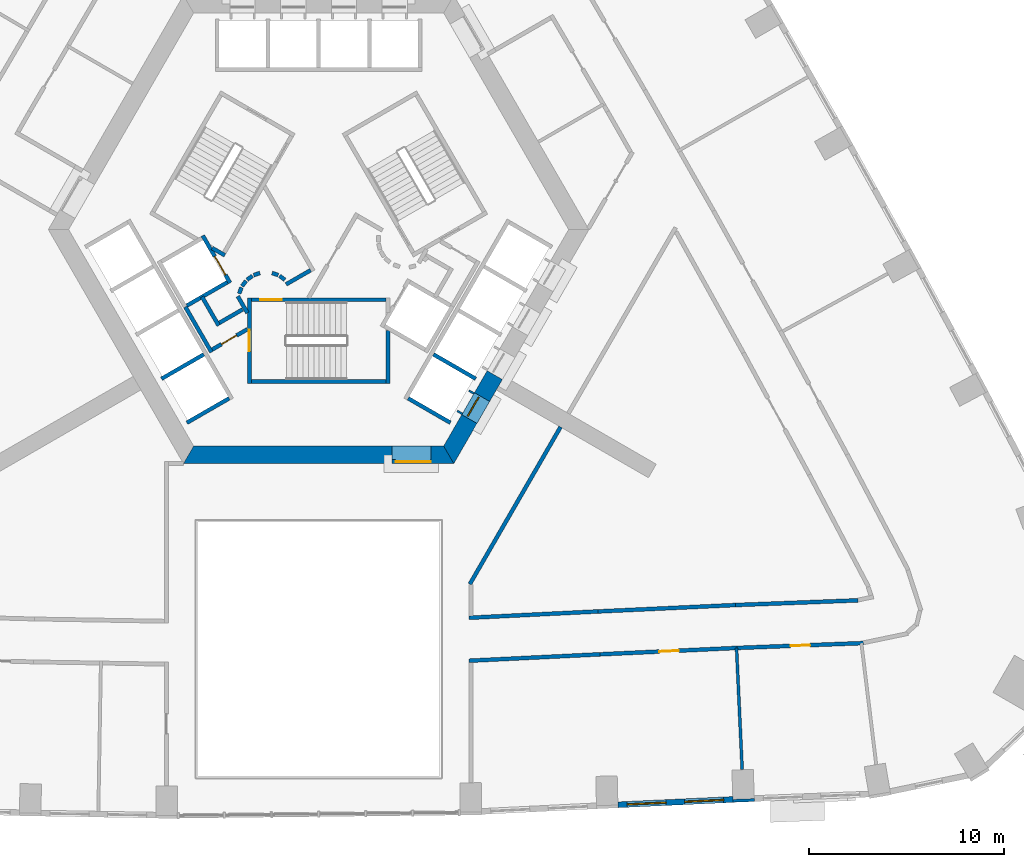
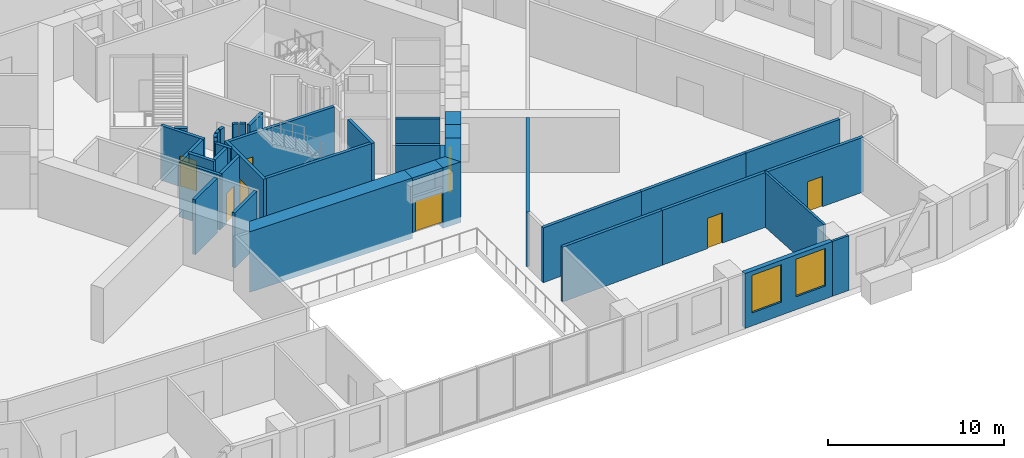
# One storey, part 6 of 15: 41 walls, 8 doors, 2 windows, 10 openings.
"""IFC4 building model written with IfcOpenShell, lengths in metres."""

from ifc_helpers import new_model, si_unit, direction, frame, frame_2d, origin, place, context, subcontext, project, spatial, polyline, rectangle, outline, extrude, material, layer, layer_set, type_object, element, fill, save


model = new_model("IFC4")

# Units and contexts
model_context = context("Model", 3, precision=1e-05, world=origin(), true_north=direction((0.0, 1.0)))
body_context = subcontext(model_context, "Body", "Model", "MODEL_VIEW")
ifc_project = project(units=[si_unit("LENGTHUNIT", "METRE"), si_unit("AREAUNIT", "SQUARE_METRE"), si_unit("VOLUMEUNIT", "CUBIC_METRE"), si_unit("PLANEANGLEUNIT", "RADIAN"), si_unit("MASSUNIT", "GRAM", prefix="KILO")], contexts=[model_context])

# Site, building, storey
site_placement = place(None, origin())
site = spatial("IfcSite", under=ifc_project, at=site_placement, CompositionType="ELEMENT")
building_placement = place(site_placement, origin())
building = spatial("IfcBuilding", under=site, at=building_placement, Name="Entoto Arch Interchange Tower", CompositionType="ELEMENT")
storey_placement = place(building_placement, frame((0.0, 0.0, 120.199951171875)))
storey = spatial("IfcBuildingStorey", under=building, at=storey_placement, Name="L26", CompositionType="ELEMENT", Elevation=120.199951171875)

# Wall, opening, door
ifc_material_1 = material(Name="Reinforced concrete C40/50", Category="concrete")
ifc_layer_1 = layer(ifc_material_1, 0.199951171875)
ifc_layer_set_1 = layer_set([ifc_layer_1], Name="Reinforced concrete C40/50")
wall_type_1 = type_object("IfcWallType", Name="CORE GAP INFILL WALL", PredefinedType="PARTITIONING", material=ifc_layer_set_1)
wall_1_placement = place(storey_placement, frame((3.75, -9.39990234375, 0.0), z_axis=(0.0, 0.0, 1.0), x_axis=(1.0, 0.0, 0.0)))
wall_1 = element("IfcWall", 1, at=wall_1_placement, inside=storey, type_object=wall_type_1, Name="wall:L26:gap1", PredefinedType="PARTITIONING", context=body_context, shape_type="SweptSolid", body=[
    extrude(rectangle(XDim=2.0, YDim=0.199951171875, at=frame_2d((1.0, 0.0))), origin(), (0.0, 0.0, 1.0), 2.400146484375),
])
opening_1_placement = place(wall_1_placement, frame((0.18994140625, 0.0, 0.0)))
opening_1 = element("IfcOpeningElement", 2, at=opening_1_placement, cuts=wall_1, Name="Opening L26-D91", PredefinedType="OPENING", context=body_context, shape_type="SweptSolid", body=[
    extrude(rectangle(XDim=1.800048828125, YDim=2.10009765625, at=frame_2d((0.89990234375, 1.050048828125))), frame((0.0, 0.10986328125, 0.0), z_axis=(0.0, -1.0, 0.0), x_axis=(1.0, 0.0, 0.0)), (0.0, 0.0, 1.0), 0.219970703125),
])
ifc_material_2 = material(Name="Fire-rated Steel S235 door and frame", Category="steel")
door_type_1 = type_object("IfcDoorType", Name="DOOR FD-18 1800x2100", OperationType="DOUBLE_DOOR_SINGLE_SWING", PredefinedType="DOOR", material=ifc_material_2)
door_1_placement = place(opening_1_placement, origin())
door_1 = element("IfcDoor", 3, at=door_1_placement, inside=storey, type_object=door_type_1, Name="door:L26:gap1", OperationType="DOUBLE_DOOR_SINGLE_SWING", OverallHeight=2.10009765625, OverallWidth=1.800048828125, PredefinedType="DOOR", context=body_context, shape_type="SweptSolid", body=[
    extrude(rectangle(XDim=1.800048828125, YDim=2.10009765625, at=frame_2d((0.89990234375, 1.050048828125))), frame((0.0, 0.02490234375, 0.0), z_axis=(0.0, -1.0, 0.0), x_axis=(1.0, 0.0, 0.0)), (0.0, 0.0, 1.0), 0.050048828125),
])
fill(opening_1, door_1)

# Walls
ifc_material_3 = material(Name="Concrete C60/75", Category="concrete")
ifc_layer_2 = layer(ifc_material_3, 0.89990234375)
ifc_layer_set_2 = layer_set([ifc_layer_2], Name="Concrete C60/75")
wall_type_2 = type_object("IfcWallType", Name="Core wall 900 C60/75", PredefinedType="SHEAR", material=ifc_layer_set_2)
wall_2_placement = place(storey_placement, frame((0.0, 0.0, -0.39990234375)))
element("IfcWall", 4, at=wall_2_placement, inside=storey, type_object=wall_type_2, Name="Core wall S L26", PredefinedType="SHEAR", context=body_context, shape_type="SweptSolid", body=[
    extrude(outline(polyline([(3.75, -9.5), (3.75, -8.60009765625), (-6.408935546875, -8.60009765625), (-6.927978515625, -9.5), (3.75, -9.5)])), origin(), (0.0, 0.0, 1.0), 4.199951171875),
])
wall_3_placement = place(storey_placement, frame((0.0, 0.0, -0.39990234375)))
element("IfcWall", 5, at=wall_3_placement, inside=storey, type_object=wall_type_2, Name="Core wall S L26", PredefinedType="SHEAR", context=body_context, shape_type="SweptSolid", body=[
    extrude(outline(polyline([(5.75, -8.60009765625), (5.75, -9.5), (6.927978515625, -9.5), (6.408935546875, -8.60009765625), (5.75, -8.60009765625)])), origin(), (0.0, 0.0, 1.0), 4.199951171875),
])
wall_4_placement = place(storey_placement, frame((0.0, 0.0, 3.60009765625)))
element("IfcWall", 6, at=wall_4_placement, inside=storey, type_object=wall_type_2, Name="Core wall lintel S L26", PredefinedType="SHEAR", context=body_context, shape_type="SweptSolid", body=[
    extrude(outline(polyline([(5.75, -9.5), (5.75, -8.60009765625), (3.75, -8.60009765625), (3.75, -9.5), (5.75, -9.5)])), origin(), (0.0, 0.0, 1.0), 0.199951171875),
])
wall_5_placement = place(storey_placement, frame((0.0, 0.0, -0.39990234375)))
element("IfcWall", 7, at=wall_5_placement, inside=storey, type_object=wall_type_2, Name="Core wall SE L26", PredefinedType="SHEAR", context=body_context, shape_type="SweptSolid", body=[
    extrude(outline(polyline([(8.116943359375, -7.43994140625), (7.337890625, -6.989990234375), (6.408935546875, -8.60009765625), (6.927978515625, -9.5), (8.116943359375, -7.43994140625)])), origin(), (0.0, 0.0, 1.0), 4.199951171875),
])
wall_6_placement = place(storey_placement, frame((0.0, 0.0, -0.39990234375)))
element("IfcWall", 8, at=wall_6_placement, inside=storey, type_object=wall_type_2, Name="Core wall SE L26", PredefinedType="SHEAR", context=body_context, shape_type="SweptSolid", body=[
    extrude(outline(polyline([(9.4169921875, -5.18896484375), (8.637939453125, -4.739013671875), (7.988037109375, -5.864013671875), (8.76708984375, -6.31396484375), (9.4169921875, -5.18896484375)])), origin(), (0.0, 0.0, 1.0), 4.199951171875),
])
wall_7_placement = place(storey_placement, frame((0.0, 0.0, 3.60009765625)))
element("IfcWall", 9, at=wall_7_placement, inside=storey, type_object=wall_type_2, Name="Core wall lintel SE L26", PredefinedType="SHEAR", context=body_context, shape_type="SweptSolid", body=[
    extrude(outline(polyline([(8.76708984375, -6.31396484375), (7.988037109375, -5.864013671875), (7.337890625, -6.989990234375), (8.116943359375, -7.43994140625), (8.76708984375, -6.31396484375)])), origin(), (0.0, 0.0, 1.0), 0.199951171875),
])

# Wall, opening, door
ifc_material_4 = material(Name="Concrete C40/50", Category="concrete")
ifc_layer_3 = layer(ifc_material_4, 1.199951171875)
ifc_layer_set_3 = layer_set([ifc_layer_3], Name="Concrete C40/50")
wall_type_3 = type_object("IfcWallType", Name="LIFT LANDING INFILL WALL", PredefinedType="STANDARD", material=ifc_layer_set_3)
wall_8_placement = place(storey_placement, frame((7.597900390625, -7.139892578125, 0.0), z_axis=(0.0, 0.0, 1.0), x_axis=(0.500362116554, 0.865816234728, 0.0)))
wall_8 = element("IfcWall", 10, at=wall_8_placement, inside=storey, type_object=wall_type_3, Name="Lift landing infill wall LR5 L26", PredefinedType="STANDARD", context=body_context, shape_type="SweptSolid", body=[
    extrude(rectangle(XDim=1.29931640625, YDim=1.199951171875, at=frame_2d((0.649658203125, 0.0))), origin(), (0.0, 0.0, 1.0), 2.400146484375),
])
opening_2_placement = place(wall_8_placement, frame((0.10009765625, 0.0, 0.0)))
opening_2 = element("IfcOpeningElement", 11, at=opening_2_placement, cuts=wall_8, Name="Opening LD-LR5-L26", PredefinedType="OPENING", context=body_context, shape_type="SweptSolid", body=[
    extrude(rectangle(XDim=1.10009765625, YDim=2.300048828125, at=frame_2d((0.550048828125, 1.14990234375))), frame((0.0, 0.60986328125, 0.0), z_axis=(0.0, -1.0, 0.0), x_axis=(1.0, 0.0, 0.0)), (0.0, 0.0, 1.0), 1.219970703125),
])
ifc_material_5 = material(Name="Stainless steel 1.4301 panels", Category="steel")
door_type_2 = type_object("IfcDoorType", Name="LIFT LANDING DOOR LD2 1100x2300", OperationType="SLIDING_TO_LEFT", PredefinedType="DOOR", material=ifc_material_5)
door_2_placement = place(opening_2_placement, origin())
door_2 = element("IfcDoor", 12, at=door_2_placement, inside=storey, type_object=door_type_2, Name="Lift landing door LR5 L26", OperationType="SLIDING_TO_LEFT", OverallHeight=2.300048828125, OverallWidth=1.10009765625, PredefinedType="DOOR", context=body_context, shape_type="SweptSolid", body=[
    extrude(rectangle(XDim=1.10009765625, YDim=2.300048828125, at=frame_2d((0.550048828125, 1.14990234375))), frame((0.0, 0.02490234375, 0.0), z_axis=(0.0, -1.0, 0.0), x_axis=(1.0, 0.0, 0.0)), (0.0, 0.0, 1.0), 0.050048828125),
])
fill(opening_2, door_2)

ifc_layer_4 = layer(ifc_material_4, 0.199951171875)
ifc_layer_set_4 = layer_set([ifc_layer_4], Name="Concrete C40/50")
wall_type_4 = type_object("IfcWallType", Name="LIFT SHAFT WALL 200", PredefinedType="STANDARD", material=ifc_layer_set_4)
wall_9_placement = place(storey_placement, frame((-5.93994140625, 2.18798828125, 0.0), z_axis=(0.0, 0.0, 1.0), x_axis=(0.49994636267, -0.866056369097, 0.0)))
wall_9 = element("IfcWall", 13, at=wall_9_placement, inside=storey, type_object=wall_type_4, Name="Shaft wall SW1 front", PredefinedType="STANDARD", context=body_context, shape_type="SweptSolid", body=[
    extrude(rectangle(XDim=2.800048828125, YDim=0.199951171875, at=frame_2d((1.39990234375, 0.0))), origin(), (0.0, 0.0, 1.0), 3.800048828125),
])
opening_3_placement = place(wall_9_placement, frame((1.22509765625, 0.0, 0.0)))
opening_3 = element("IfcOpeningElement", 14, at=opening_3_placement, cuts=wall_9, Name="Opening LD-FF2-L26", PredefinedType="OPENING", context=body_context, shape_type="SweptSolid", body=[
    extrude(rectangle(XDim=1.10009765625, YDim=2.10009765625, at=frame_2d((0.550048828125, 1.050048828125))), frame((0.0, 0.10986328125, 0.0), z_axis=(0.0, -1.0, 0.0), x_axis=(1.0, 0.0, 0.0)), (0.0, 0.0, 1.0), 0.219970703125),
])
door_type_3 = type_object("IfcDoorType", Name="LIFT LANDING DOOR LD1 1100x2100", OperationType="SLIDING_TO_LEFT", PredefinedType="DOOR", material=ifc_material_5)
door_3_placement = place(opening_3_placement, origin())
door_3 = element("IfcDoor", 15, at=door_3_placement, inside=storey, type_object=door_type_3, Name="Lift landing door FF2 L26", OperationType="SLIDING_TO_LEFT", OverallHeight=2.10009765625, OverallWidth=1.10009765625, PredefinedType="DOOR", context=body_context, shape_type="SweptSolid", body=[
    extrude(rectangle(XDim=1.10009765625, YDim=2.10009765625, at=frame_2d((0.550048828125, 1.050048828125))), frame((0.0, 0.02490234375, 0.0), z_axis=(0.0, -1.0, 0.0), x_axis=(1.0, 0.0, 0.0)), (0.0, 0.0, 1.0), 0.050048828125),
])
fill(opening_3, door_3)

# Walls
wall_10_placement = place(storey_placement, frame((-4.677001953125, -0.199951171875, 0.0), z_axis=(0.0, 0.0, 1.0), x_axis=(-0.865973769406, -0.500089422704, 0.0)))
element("IfcWall", 16, at=wall_10_placement, inside=storey, type_object=wall_type_4, Name="Shaft wall SW1 cross 2", PredefinedType="STANDARD", context=body_context, shape_type="SweptSolid", body=[
    extrude(rectangle(XDim=2.3994140625, YDim=0.199951171875, at=frame_2d((1.19970703125, 0.0))), origin(), (0.0, 0.0, 1.0), 3.800048828125),
])
for number, where, z_axis, x_axis, name in (
    (17, (-5.887939453125, -3.902099609375, 0.0), (0.0, 0.0, 1.0), (-0.866022959057, -0.500004234368, 0.0), "Shaft wall SW3 cross 4"),
    (18, (-4.587890625, -6.153076171875, 0.0), (0.0, 0.0, 1.0), (-0.866022959057, -0.500004234368, 0.0), "Shaft wall SW3 cross 5"),
    (19, (4.587890625, -6.153076171875, 0.0), (0.0, 0.0, 1.0), (0.866022959057, -0.500004234368, 0.0), "Shaft wall SE3 cross 1"),
    (20, (5.887939453125, -3.902099609375, 0.0), (0.0, 0.0, 1.0), (0.866022959057, -0.500004234368, 0.0), "Shaft wall SE3 cross 2"),
):
    element("IfcWall", number, at=place(storey_placement, frame(where, z_axis=z_axis, x_axis=x_axis)), inside=storey, type_object=wall_type_4, Name=name, PredefinedType="STANDARD", context=body_context, shape_type="SweptSolid", body=[
        extrude(rectangle(XDim=2.5, YDim=0.199951171875, at=frame_2d((1.25, 0.0))), origin(), (0.0, 0.0, 1.0), 3.800048828125),
    ])
ifc_material_6 = material(Name="Gypsum board partition on steel studs", Category="steel")
ifc_layer_5 = layer(ifc_material_6, 0.14990234375)
ifc_layer_set_5 = layer_set([ifc_layer_5], Name="Gypsum board partition on steel studs")
wall_type_5 = type_object("IfcWallType", Name="PARTITION 150", PredefinedType="PARTITIONING", material=ifc_layer_set_5)
wall_11_placement = place(storey_placement, frame((21.4208984375, -18.949951171875, 0.0), z_axis=(0.0, 0.0, 1.0), x_axis=(0.046555976109, -0.998915682672, 0.0)))
element("IfcWall", 21, at=wall_11_placement, inside=storey, type_object=wall_type_5, Name="wall:L26:p119", PredefinedType="PARTITIONING", context=body_context, shape_type="SweptSolid", body=[
    extrude(rectangle(XDim=6.22998046875, YDim=0.14990234375, at=frame_2d((3.114990234375, 0.0))), origin(), (0.0, 0.0, 1.0), 3.800048828125),
])
ifc_layer_6 = layer(ifc_material_6, 0.199951171875)
ifc_layer_set_6 = layer_set([ifc_layer_6], Name="Gypsum board partition on steel studs")
wall_type_6 = type_object("IfcWallType", Name="PARTITION 200", PredefinedType="PARTITIONING", material=ifc_layer_set_6)
wall_12_placement = place(storey_placement, frame((7.699951171875, -17.403076171875, 0.0), z_axis=(0.0, 0.0, 1.0), x_axis=(0.998792748077, 0.049122768543, 0.0)))
element("IfcWall", 22, at=wall_12_placement, inside=storey, type_object=wall_type_6, Name="wall:L26:p018", PredefinedType="PARTITIONING", context=body_context, shape_type="SweptSolid", body=[
    extrude(rectangle(XDim=6.6201171875, YDim=0.199951171875, at=frame_2d((3.31005859375, 0.0))), origin(), (0.0, 0.0, 1.0), 3.800048828125),
])
wall_13_placement = place(storey_placement, frame((14.31201171875, -17.077880859375, 0.0), z_axis=(0.0, 0.0, 1.0), x_axis=(0.998919675224, 0.046470231869, 0.0)))
element("IfcWall", 23, at=wall_13_placement, inside=storey, type_object=wall_type_6, Name="wall:L26:p019", PredefinedType="PARTITIONING", context=body_context, shape_type="SweptSolid", body=[
    extrude(rectangle(XDim=7.0556640625, YDim=0.199951171875, at=frame_2d((3.52783203125, 0.0))), origin(), (0.0, 0.0, 1.0), 3.800048828125),
])
wall_14_placement = place(storey_placement, frame((21.360107421875, -16.75, 0.0), z_axis=(0.0, 0.0, 1.0), x_axis=(0.999267915235, 0.038257464404, 0.0)))
element("IfcWall", 24, at=wall_14_placement, inside=storey, type_object=wall_type_6, Name="wall:L26:p020", PredefinedType="PARTITIONING", context=body_context, shape_type="SweptSolid", body=[
    extrude(rectangle(XDim=6.298583984375, YDim=0.199951171875, at=frame_2d((3.1494140625, 0.0))), origin(), (0.0, 0.0, 1.0), 3.800048828125),
])

# Wall, opening, door
wall_15_placement = place(storey_placement, frame((21.49609375, -18.946044921875, 0.0), z_axis=(0.0, 0.0, 1.0), x_axis=(-0.99891602876, -0.046548549767, 0.0)))
wall_15 = element("IfcWall", 25, at=wall_15_placement, inside=storey, type_object=wall_type_6, Name="wall:L26:p036", PredefinedType="PARTITIONING", context=body_context, shape_type="SweptSolid", body=[
    extrude(rectangle(XDim=7.085693359375, YDim=0.199951171875, at=frame_2d((3.54296875, 0.0))), origin(), (0.0, 0.0, 1.0), 3.800048828125),
])
opening_4_placement = place(wall_15_placement, frame((3.04296875, 0.0, 0.0)))
opening_4 = element("IfcOpeningElement", 26, at=opening_4_placement, cuts=wall_15, Name="Opening L26-D01", PredefinedType="OPENING", context=body_context, shape_type="SweptSolid", body=[
    extrude(rectangle(XDim=1.0, YDim=2.10009765625, at=frame_2d((0.5, 1.050048828125))), frame((0.0, 0.10986328125, 0.0), z_axis=(0.0, -1.0, 0.0), x_axis=(1.0, 0.0, 0.0)), (0.0, 0.0, 1.0), 0.219970703125),
])
ifc_material_7 = material(Name="Timber door leaf in Steel S235 frame", Category="steel")
door_type_4 = type_object("IfcDoorType", Name="DOOR DS-10 1000x2100", OperationType="SINGLE_SWING_LEFT", PredefinedType="DOOR", material=ifc_material_7)
door_4_placement = place(opening_4_placement, origin())
door_4 = element("IfcDoor", 27, at=door_4_placement, inside=storey, type_object=door_type_4, Name="door:L26:01", OperationType="SINGLE_SWING_LEFT", OverallHeight=2.10009765625, OverallWidth=1.0, PredefinedType="DOOR", context=body_context, shape_type="SweptSolid", body=[
    extrude(rectangle(XDim=1.0, YDim=2.10009765625, at=frame_2d((0.5, 1.050048828125))), frame((0.0, 0.02490234375, 0.0), z_axis=(0.0, -1.0, 0.0), x_axis=(1.0, 0.0, 0.0)), (0.0, 0.0, 1.0), 0.050048828125),
])
fill(opening_4, door_4)

# Wall
wall_16_placement = place(storey_placement, frame((14.41796875, -19.27587890625, 0.0), z_axis=(0.0, 0.0, 1.0), x_axis=(-0.998802248261, -0.04892922305, 0.0)))
element("IfcWall", 28, at=wall_16_placement, inside=storey, type_object=wall_type_6, Name="wall:L26:p037", PredefinedType="PARTITIONING", context=body_context, shape_type="SweptSolid", body=[
    extrude(rectangle(XDim=6.72607421875, YDim=0.199951171875, at=frame_2d((3.363037109375, 0.0))), origin(), (0.0, 0.0, 1.0), 3.800048828125),
])

# Wall, opening, door
wall_17_placement = place(storey_placement, frame((27.922119140625, -18.699951171875, 0.0), z_axis=(0.0, 0.0, 1.0), x_axis=(-0.999265458352, -0.038321583274, 0.0)))
wall_17 = element("IfcWall", 29, at=wall_17_placement, inside=storey, type_object=wall_type_6, Name="wall:L26:p038", PredefinedType="PARTITIONING", context=body_context, shape_type="SweptSolid", body=[
    extrude(rectangle(XDim=6.47265625, YDim=0.199951171875, at=frame_2d((3.236328125, 0.0))), origin(), (0.0, 0.0, 1.0), 3.800048828125),
])
opening_5_placement = place(wall_17_placement, frame((2.736083984375, 0.0, 0.0)))
opening_5 = element("IfcOpeningElement", 30, at=opening_5_placement, cuts=wall_17, Name="Opening L26-D02", PredefinedType="OPENING", context=body_context, shape_type="SweptSolid", body=[
    extrude(rectangle(XDim=1.0, YDim=2.10009765625, at=frame_2d((0.5, 1.050048828125))), frame((0.0, 0.10986328125, 0.0), z_axis=(0.0, -1.0, 0.0), x_axis=(1.0, 0.0, 0.0)), (0.0, 0.0, 1.0), 0.219970703125),
])
door_5_placement = place(opening_5_placement, origin())
door_5 = element("IfcDoor", 31, at=door_5_placement, inside=storey, type_object=door_type_4, Name="door:L26:02", OperationType="SINGLE_SWING_LEFT", OverallHeight=2.10009765625, OverallWidth=1.0, PredefinedType="DOOR", context=body_context, shape_type="SweptSolid", body=[
    extrude(rectangle(XDim=1.0, YDim=2.10009765625, at=frame_2d((0.5, 1.050048828125))), frame((0.0, 0.02490234375, 0.0), z_axis=(0.0, -1.0, 0.0), x_axis=(1.0, 0.0, 0.0)), (0.0, 0.0, 1.0), 0.050048828125),
])
fill(opening_5, door_5)

# Walls
wall_18_placement = place(storey_placement, frame((-3.89990234375, -1.59912109375, 0.0), z_axis=(0.0, 0.0, 1.0), x_axis=(-0.865969445389, -0.500096910261, 0.0)))
element("IfcWall", 32, at=wall_18_placement, inside=storey, type_object=wall_type_6, Name="wall:L26:p084", PredefinedType="PARTITIONING", context=body_context, shape_type="SweptSolid", body=[
    extrude(rectangle(XDim=1.373291015625, YDim=0.199951171875, at=frame_2d((0.6865234375, 0.0))), origin(), (0.0, 0.0, 1.0), 3.800048828125),
])
wall_19_placement = place(storey_placement, frame((-5.1259765625, -2.422119140625, 0.0), z_axis=(0.0, 0.0, 1.0), x_axis=(-0.500062241894, 0.865989465428, 0.0)))
element("IfcWall", 33, at=wall_19_placement, inside=storey, type_object=wall_type_6, Name="wall:L26:p085", PredefinedType="PARTITIONING", context=body_context, shape_type="SweptSolid", body=[
    extrude(rectangle(XDim=1.699951171875, YDim=0.199951171875, at=frame_2d((0.85009765625, 0.0))), origin(), (0.0, 0.0, 1.0), 3.800048828125),
])

# Wall, opening, door
wall_20_placement = place(storey_placement, frame((-3.64990234375, -2.610107421875, 0.0), z_axis=(0.0, 0.0, 1.0), x_axis=(-0.866072462134, -0.499918483688, 0.0)))
wall_20 = element("IfcWall", 34, at=wall_20_placement, inside=storey, type_object=wall_type_6, Name="wall:L26:p086", PredefinedType="PARTITIONING", context=body_context, shape_type="SweptSolid", body=[
    extrude(rectangle(XDim=2.084228515625, YDim=0.199951171875, at=frame_2d((1.0419921875, 0.0))), origin(), (0.0, 0.0, 1.0), 3.800048828125),
])
opening_6_placement = place(wall_20_placement, frame((0.64208984375, 0.0, 0.0)))
opening_6 = element("IfcOpeningElement", 35, at=opening_6_placement, cuts=wall_20, Name="Opening L26-D31", PredefinedType="OPENING", context=body_context, shape_type="SweptSolid", body=[
    extrude(rectangle(XDim=0.89990234375, YDim=2.10009765625, at=frame_2d((0.449951171875, 1.050048828125))), frame((0.0, 0.10986328125, 0.0), z_axis=(0.0, -1.0, 0.0), x_axis=(1.0, 0.0, 0.0)), (0.0, 0.0, 1.0), 0.219970703125),
])
door_type_5 = type_object("IfcDoorType", Name="DOOR DS-09 900x2100", OperationType="SINGLE_SWING_LEFT", PredefinedType="DOOR", material=ifc_material_7)
door_6_placement = place(opening_6_placement, origin())
door_6 = element("IfcDoor", 36, at=door_6_placement, inside=storey, type_object=door_type_5, Name="door:L26:31", OperationType="SINGLE_SWING_LEFT", OverallHeight=2.10009765625, OverallWidth=0.89990234375, PredefinedType="DOOR", context=body_context, shape_type="SweptSolid", body=[
    extrude(rectangle(XDim=0.89990234375, YDim=2.10009765625, at=frame_2d((0.449951171875, 1.050048828125))), frame((0.0, 0.02490234375, 0.0), z_axis=(0.0, -1.0, 0.0), x_axis=(1.0, 0.0, 0.0)), (0.0, 0.0, 1.0), 0.050048828125),
])
fill(opening_6, door_6)

# Walls
wall_21_placement = place(storey_placement, frame((-5.491943359375, -3.7880859375, 0.0), z_axis=(0.0, 0.0, 1.0), x_axis=(-0.500008949224, 0.866020236886, 0.0)))
element("IfcWall", 37, at=wall_21_placement, inside=storey, type_object=wall_type_6, Name="wall:L26:p087", PredefinedType="PARTITIONING", context=body_context, shape_type="SweptSolid", body=[
    extrude(rectangle(XDim=2.68017578125, YDim=0.199951171875, at=frame_2d((1.340087890625, 0.0))), origin(), (0.0, 0.0, 1.0), 3.800048828125),
])
wall_22_placement = place(storey_placement, frame((-4.14501953125, -0.919921875, 0.0), z_axis=(0.0, 0.0, 1.0), x_axis=(0.499743786207, -0.866173278362, 0.0)))
element("IfcWall", 38, at=wall_22_placement, inside=storey, type_object=wall_type_6, Name="wall:L26:p088", PredefinedType="PARTITIONING", context=body_context, shape_type="SweptSolid", body=[
    extrude(rectangle(XDim=0.99072265625, YDim=0.199951171875, at=frame_2d((0.495361328125, 0.0))), origin(), (0.0, 0.0, 1.0), 3.800048828125),
])
wall_23_placement = place(storey_placement, frame((-0.412109375, 0.4140625, 0.0), z_axis=(0.0, 0.0, 1.0), x_axis=(-0.866017369001, -0.500013916395, 0.0)))
element("IfcWall", 39, at=wall_23_placement, inside=storey, type_object=wall_type_6, Name="wall:L26:p102", PredefinedType="PARTITIONING", context=body_context, shape_type="SweptSolid", body=[
    extrude(rectangle(XDim=1.4501953125, YDim=0.199951171875, at=frame_2d((0.72509765625, 0.0))), origin(), (0.0, 0.0, 1.0), 3.800048828125),
])
wall_24_placement = place(storey_placement, frame((-1.73095703125, -0.076904296875, 0.0), z_axis=(0.0, 0.0, 1.0), x_axis=(-0.804311165252, 0.594208338422, 0.0)))
element("IfcWall", 40, at=wall_24_placement, inside=storey, type_object=wall_type_6, Name="wall:L26:p103", PredefinedType="PARTITIONING", context=body_context, shape_type="SweptSolid", body=[
    extrude(rectangle(XDim=0.338134765625, YDim=0.199951171875, at=frame_2d((0.1689453125, 0.0))), origin(), (0.0, 0.0, 1.0), 3.800048828125),
])
wall_25_placement = place(storey_placement, frame((-2.070068359375, 0.159912109375, 0.0), z_axis=(0.0, 0.0, 1.0), x_axis=(-0.942199461132, 0.335052496547, 0.0)))
element("IfcWall", 41, at=wall_25_placement, inside=storey, type_object=wall_type_6, Name="wall:L26:p104", PredefinedType="PARTITIONING", context=body_context, shape_type="SweptSolid", body=[
    extrude(rectangle(XDim=0.33740234375, YDim=0.199951171875, at=frame_2d((0.168701171875, 0.0))), origin(), (0.0, 0.0, 1.0), 3.800048828125),
])
wall_26_placement = place(storey_placement, frame((-3.011962890625, 0.27294921875, 0.0), z_axis=(0.0, 0.0, 1.0), x_axis=(-0.942280615813, -0.334824194261, 0.0)))
element("IfcWall", 42, at=wall_26_placement, inside=storey, type_object=wall_type_6, Name="wall:L26:p105", PredefinedType="PARTITIONING", context=body_context, shape_type="SweptSolid", body=[
    extrude(rectangle(XDim=0.337646484375, YDim=0.199951171875, at=frame_2d((0.1689453125, 0.0))), origin(), (0.0, 0.0, 1.0), 3.800048828125),
])
wall_27_placement = place(storey_placement, frame((-3.39697265625, 0.1240234375, 0.0), z_axis=(0.0, 0.0, 1.0), x_axis=(-0.804311165252, -0.594208338422, 0.0)))
element("IfcWall", 43, at=wall_27_placement, inside=storey, type_object=wall_type_6, Name="wall:L26:p106", PredefinedType="PARTITIONING", context=body_context, shape_type="SweptSolid", body=[
    extrude(rectangle(XDim=0.338134765625, YDim=0.199951171875, at=frame_2d((0.1689453125, 0.0))), origin(), (0.0, 0.0, 1.0), 3.800048828125),
])
wall_28_placement = place(storey_placement, frame((-3.722900390625, -0.131103515625, 0.0), z_axis=(0.0, 0.0, 1.0), x_axis=(-0.594675113454, -0.803966112121, 0.0)))
element("IfcWall", 44, at=wall_28_placement, inside=storey, type_object=wall_type_6, Name="wall:L26:p107", PredefinedType="PARTITIONING", context=body_context, shape_type="SweptSolid", body=[
    extrude(rectangle(XDim=0.33837890625, YDim=0.199951171875, at=frame_2d((0.169189453125, 0.0))), origin(), (0.0, 0.0, 1.0), 3.800048828125),
])
wall_29_placement = place(storey_placement, frame((-3.9599609375, -0.469970703125, 0.0), z_axis=(0.0, 0.0, 1.0), x_axis=(-0.334824194261, -0.942280615813, 0.0)))
element("IfcWall", 45, at=wall_29_placement, inside=storey, type_object=wall_type_6, Name="wall:L26:p108", PredefinedType="PARTITIONING", context=body_context, shape_type="SweptSolid", body=[
    extrude(rectangle(XDim=0.337646484375, YDim=0.199951171875, at=frame_2d((0.1689453125, 0.0))), origin(), (0.0, 0.0, 1.0), 3.800048828125),
])
wall_30_placement = place(storey_placement, frame((12.40087890625, -7.62109375, 0.0), z_axis=(0.0, 0.0, 1.0), x_axis=(-0.499983724212, -0.866034800411, 0.0)))
element("IfcWall", 46, at=wall_30_placement, inside=storey, type_object=wall_type_6, Name="wall:L26:p116", PredefinedType="PARTITIONING", context=body_context, shape_type="SweptSolid", body=[
    extrude(rectangle(XDim=9.302001953125, YDim=0.199951171875, at=frame_2d((4.65087890625, 0.0))), origin(), (0.0, 0.0, 1.0), 3.800048828125),
])

# Wall, opening, door
ifc_layer_7 = layer(ifc_material_4, 0.199951171875)
ifc_layer_set_7 = layer_set([ifc_layer_7], Name="Concrete C40/50")
wall_type_7 = type_object("IfcWallType", Name="STAIR ENCLOSURE WALL 200", PredefinedType="STANDARD", material=ifc_layer_set_7)
wall_31_placement = place(storey_placement, frame((-3.550048828125, -1.0, 0.0), z_axis=(0.0, 0.0, 1.0), x_axis=(0.0, -1.0, 0.0)))
wall_31 = element("IfcWall", 47, at=wall_31_placement, inside=storey, type_object=wall_type_7, Name="Stair wall ST-S near", PredefinedType="STANDARD", context=body_context, shape_type="SweptSolid", body=[
    extrude(rectangle(XDim=4.39990234375, YDim=0.199951171875, at=frame_2d((2.199951171875, 0.0))), origin(), (0.0, 0.0, 1.0), 3.800048828125),
])
opening_7_placement = place(wall_31_placement, frame((1.64990234375, 0.0, 0.0)))
opening_7 = element("IfcOpeningElement", 48, at=opening_7_placement, cuts=wall_31, Name="Opening SD-ST-S-L26-E", PredefinedType="OPENING", context=body_context, shape_type="SweptSolid", body=[
    extrude(rectangle(XDim=1.10009765625, YDim=2.199951171875, at=frame_2d((0.550048828125, 1.10009765625))), frame((0.0, 0.10986328125, 0.0), z_axis=(0.0, -1.0, 0.0), x_axis=(1.0, 0.0, 0.0)), (0.0, 0.0, 1.0), 0.219970703125),
])
ifc_material_8 = material(Name="Steel S235", Category="steel")
door_type_6 = type_object("IfcDoorType", Name="STAIR DOOR SD1 1100x2200", OperationType="SINGLE_SWING_LEFT", PredefinedType="DOOR", material=ifc_material_8)
door_7_placement = place(opening_7_placement, origin())
door_7 = element("IfcDoor", 49, at=door_7_placement, inside=storey, type_object=door_type_6, Name="Stair door ST-S L26 end", OperationType="SINGLE_SWING_LEFT", OverallHeight=2.199951171875, OverallWidth=1.10009765625, PredefinedType="DOOR", context=body_context, shape_type="SweptSolid", body=[
    extrude(rectangle(XDim=1.10009765625, YDim=2.199951171875, at=frame_2d((0.550048828125, 1.10009765625))), frame((0.0, 0.02490234375, 0.0), z_axis=(0.0, -1.0, 0.0), x_axis=(1.0, 0.0, 0.0)), (0.0, 0.0, 1.0), 0.050048828125),
])
fill(opening_7, door_7)

# Wall
wall_32_placement = place(storey_placement, frame((3.550048828125, -2.6669921875, 0.0), z_axis=(0.0, 0.0, 1.0), x_axis=(0.0, -1.0, 0.0)))
element("IfcWall", 50, at=wall_32_placement, inside=storey, type_object=wall_type_7, Name="Stair wall ST-S far", PredefinedType="STANDARD", context=body_context, shape_type="SweptSolid", body=[
    extrude(rectangle(XDim=2.73291015625, YDim=0.199951171875, at=frame_2d((1.366455078125, 0.0))), origin(), (0.0, 0.0, 1.0), 3.800048828125),
])

# Wall, opening, door
wall_33_placement = place(storey_placement, frame((-3.449951171875, -1.10009765625, 0.0), z_axis=(0.0, 0.0, 1.0), x_axis=(1.0, 0.0, 0.0)))
wall_33 = element("IfcWall", 51, at=wall_33_placement, inside=storey, type_object=wall_type_7, Name="Stair wall ST-S hall", PredefinedType="STANDARD", context=body_context, shape_type="SweptSolid", body=[
    extrude(rectangle(XDim=6.89990234375, YDim=0.199951171875, at=frame_2d((3.449951171875, 0.0))), origin(), (0.0, 0.0, 1.0), 3.800048828125),
])
opening_8_placement = place(wall_33_placement, frame((0.449951171875, 0.0, 0.0)))
opening_8 = element("IfcOpeningElement", 52, at=opening_8_placement, cuts=wall_33, Name="Opening SD-ST-S-L26", PredefinedType="OPENING", context=body_context, shape_type="SweptSolid", body=[
    extrude(rectangle(XDim=1.10009765625, YDim=2.199951171875, at=frame_2d((0.550048828125, 1.10009765625))), frame((0.0, 0.10986328125, 0.0), z_axis=(0.0, -1.0, 0.0), x_axis=(1.0, 0.0, 0.0)), (0.0, 0.0, 1.0), 0.219970703125),
])
door_8_placement = place(opening_8_placement, origin())
door_8 = element("IfcDoor", 53, at=door_8_placement, inside=storey, type_object=door_type_6, Name="Stair door ST-S L26", OperationType="SINGLE_SWING_LEFT", OverallHeight=2.199951171875, OverallWidth=1.10009765625, PredefinedType="DOOR", context=body_context, shape_type="SweptSolid", body=[
    extrude(rectangle(XDim=1.10009765625, YDim=2.199951171875, at=frame_2d((0.550048828125, 1.10009765625))), frame((0.0, 0.02490234375, 0.0), z_axis=(0.0, -1.0, 0.0), x_axis=(1.0, 0.0, 0.0)), (0.0, 0.0, 1.0), 0.050048828125),
])
fill(opening_8, door_8)

# Walls
wall_34_placement = place(storey_placement, frame((-3.449951171875, -5.300048828125, 0.0), z_axis=(0.0, 0.0, 1.0), x_axis=(1.0, 0.0, 0.0)))
element("IfcWall", 54, at=wall_34_placement, inside=storey, type_object=wall_type_7, Name="Stair wall ST-S back", PredefinedType="STANDARD", context=body_context, shape_type="SweptSolid", body=[
    extrude(rectangle(XDim=6.89990234375, YDim=0.199951171875, at=frame_2d((3.449951171875, 0.0))), origin(), (0.0, 0.0, 1.0), 3.800048828125),
])
wall_35_placement = place(storey_placement, frame((-4.805908203125, 1.176025390625, 0.0), z_axis=(0.0, 0.0, 1.0), x_axis=(-0.866558586415, 0.499075361355, 0.0)))
element("IfcWall", 55, at=wall_35_placement, inside=storey, type_object=wall_type_7, Name="Stair wall ST-NW far return", PredefinedType="STANDARD", context=body_context, shape_type="SweptSolid", body=[
    extrude(rectangle(XDim=0.75146484375, YDim=0.199951171875, at=frame_2d((0.375732421875, 0.0))), origin(), (0.0, 0.0, 1.0), 3.800048828125),
])

# Wall, openings, windows
ifc_material_9 = material(Name="Welded tuff (ignimbrite) cladding, warm buff", Category="masonry")
ifc_layer_8 = layer(ifc_material_9, 0.300048828125)
ifc_layer_set_8 = layer_set([ifc_layer_8], Name="Welded tuff (ignimbrite) cladding, warm buff")
wall_type_8 = type_object("IfcWallType", Name="STONE INFILL WALL 300", PredefinedType="STANDARD", material=ifc_layer_set_8)
wall_36_placement = place(storey_placement, frame((15.340087890625, -26.990966796875, 0.0), z_axis=(0.0, 0.0, 1.0), x_axis=(0.998922139094, 0.046417238469, 0.0)))
wall_36 = element("IfcWall", 56, at=wall_36_placement, inside=storey, type_object=wall_type_8, Name="Facade wall S-06 L26", PredefinedType="STANDARD", context=body_context, shape_type="SweptSolid", body=[
    extrude(rectangle(XDim=5.9013671875, YDim=0.300048828125, at=frame_2d((2.95068359375, 0.0))), origin(), (0.0, 0.0, 1.0), 3.800048828125),
])
opening_9_placement = place(wall_36_placement, frame((0.47509765625, 0.0, 0.89990234375)))
opening_9 = element("IfcOpeningElement", 57, at=opening_9_placement, cuts=wall_36, Name="Opening WO-C", PredefinedType="OPENING", context=body_context, shape_type="SweptSolid", body=[
    extrude(rectangle(XDim=2.0, YDim=2.60009765625, at=frame_2d((1.0, 1.300048828125))), frame((0.0, 0.16015625, 0.0), z_axis=(0.0, -1.0, 0.0), x_axis=(1.0, 0.0, 0.0)), (0.0, 0.0, 1.0), 0.320068359375),
])
opening_10_placement = place(wall_36_placement, frame((3.426025390625, 0.0, 0.89990234375)))
opening_10 = element("IfcOpeningElement", 58, at=opening_10_placement, cuts=wall_36, Name="Opening WO-C", PredefinedType="OPENING", context=body_context, shape_type="SweptSolid", body=[
    extrude(rectangle(XDim=2.0, YDim=2.60009765625, at=frame_2d((1.0, 1.300048828125))), frame((0.0, 0.16015625, 0.0), z_axis=(0.0, -1.0, 0.0), x_axis=(1.0, 0.0, 0.0)), (0.0, 0.0, 1.0), 0.320068359375),
])
ifc_material_10 = material(Name="Clear glass, low-e double glazed", Category="glass")
window_type = type_object("IfcWindowType", Name="WINDOW WO-C 2000x2600", PartitioningType="DOUBLE_PANEL_VERTICAL", PredefinedType="WINDOW", material=ifc_material_10)
window_1_placement = place(opening_9_placement, origin())
window_1 = element("IfcWindow", 59, at=window_1_placement, inside=storey, type_object=window_type, Name="Window WO-C S-06 L26", OverallHeight=2.60009765625, OverallWidth=2.0, PartitioningType="SINGLE_PANEL", PredefinedType="WINDOW", context=body_context, shape_type="SweptSolid", body=[
    extrude(rectangle(XDim=2.0, YDim=2.60009765625, at=frame_2d((1.0, 1.300048828125))), frame((0.0, 0.030029296875, 0.0), z_axis=(0.0, -1.0, 0.0), x_axis=(1.0, 0.0, 0.0)), (0.0, 0.0, 1.0), 0.06005859375),
])
fill(opening_9, window_1)
window_2_placement = place(opening_10_placement, origin())
window_2 = element("IfcWindow", 60, at=window_2_placement, inside=storey, type_object=window_type, Name="Window WO-C S-06 L26", OverallHeight=2.60009765625, OverallWidth=2.0, PartitioningType="SINGLE_PANEL", PredefinedType="WINDOW", context=body_context, shape_type="SweptSolid", body=[
    extrude(rectangle(XDim=2.0, YDim=2.60009765625, at=frame_2d((1.0, 1.300048828125))), frame((0.0, 0.030029296875, 0.0), z_axis=(0.0, -1.0, 0.0), x_axis=(1.0, 0.0, 0.0)), (0.0, 0.0, 1.0), 0.06005859375),
])
fill(opening_10, window_2)

# Wall
ifc_layer_9 = layer(ifc_material_9, 0.14990234375)
ifc_layer_set_9 = layer_set([ifc_layer_9], Name="Welded tuff (ignimbrite) cladding, warm buff")
wall_type_9 = type_object("IfcWallType", Name="STONE PIER CLADDING 150", PredefinedType="STANDARD", material=ifc_layer_set_9)
wall_37_placement = place(storey_placement, frame((21.237060546875, -26.785888671875, 0.0), z_axis=(0.0, 0.0, 1.0), x_axis=(0.999376638472, 0.035303462679, 0.0)))
element("IfcWall", 61, at=wall_37_placement, inside=storey, type_object=wall_type_9, Name="Stone pier S07 L26", PredefinedType="STANDARD", context=body_context, shape_type="SweptSolid", body=[
    extrude(rectangle(XDim=1.099609375, YDim=0.14990234375, at=frame_2d((0.5498046875, 0.0))), origin(), (0.0, 0.0, 1.0), 3.800048828125),
])

save(model, "model.ifc")
